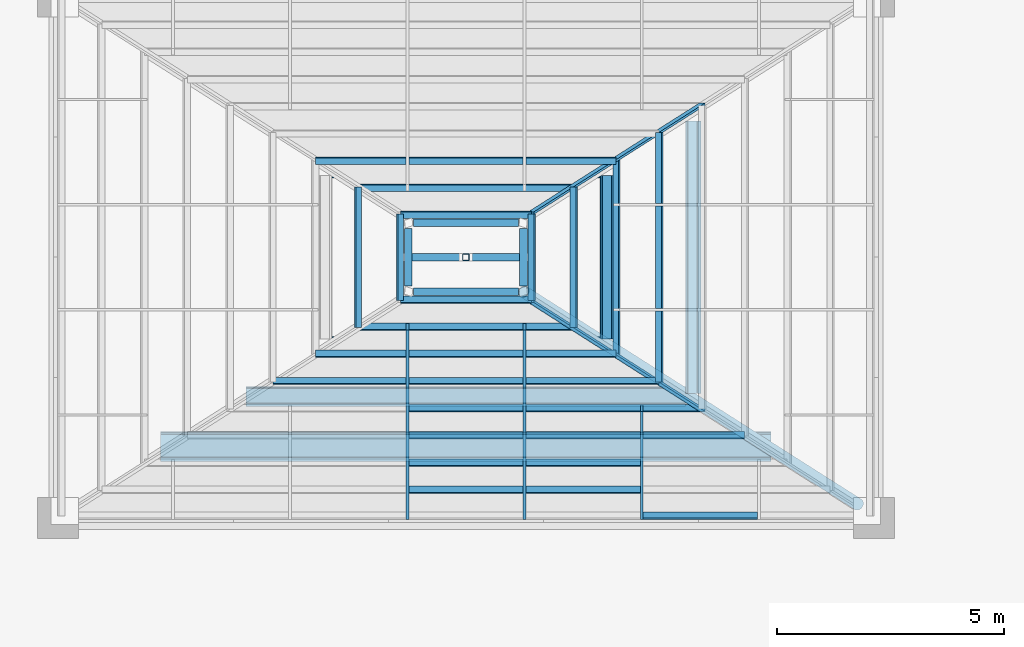
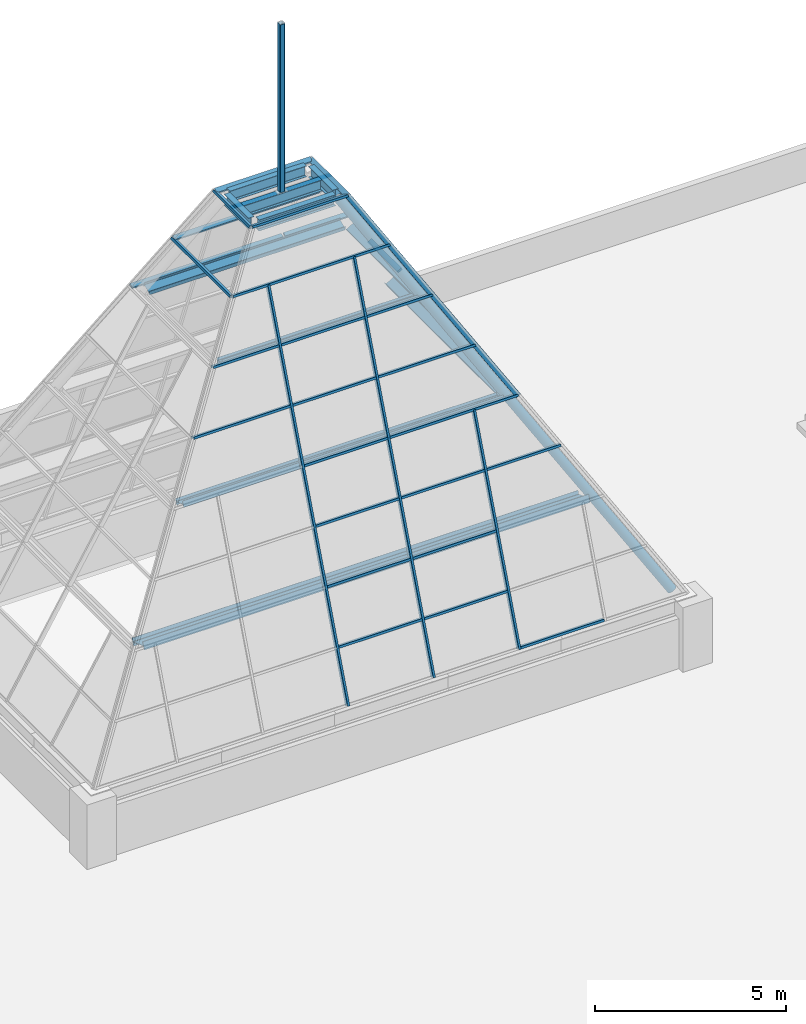
# One storey, part 2 of 8: 44 members, 5 beams, 4 elements without a shape of their own.
"""IFC4 building model written with IfcOpenShell, lengths in metres."""

from ifc_helpers import new_model, si_unit, direction, frame, origin, origin_2d, place, context, subcontext, project, spatial, rectangle, hollow_rectangle, hollow_circle, i_section, extrude, material, layer, layer_set, material_profile, profile_set, type_object, element, aggregate, save


model = new_model("IFC4")

# Units and contexts
model_context = context("Model", 3, precision=1e-05, world=origin(), true_north=direction((0.0, 1.0)))
body_context = subcontext(model_context, "Body", "Model", "MODEL_VIEW")
ifc_project = project(units=[si_unit("LENGTHUNIT", "METRE"), si_unit("AREAUNIT", "SQUARE_METRE"), si_unit("VOLUMEUNIT", "CUBIC_METRE"), si_unit("PLANEANGLEUNIT", "RADIAN"), si_unit("MASSUNIT", "GRAM", prefix="KILO")], contexts=[model_context])

# Site, building, storey
site_placement = place(None, origin())
site = spatial("IfcSite", under=ifc_project, at=site_placement, CompositionType="ELEMENT")
building_placement = place(site_placement, origin())
building = spatial("IfcBuilding", under=site, at=building_placement, Name="Brigalow Station Residences", CompositionType="ELEMENT")
storey_placement = place(building_placement, frame((0.0, 0.0, 244.199951171875)))
storey = spatial("IfcBuildingStorey", under=building, at=storey_placement, Name="Roof", CompositionType="ELEMENT", Elevation=244.199951171875)

# Members
ifc_material_1 = material(Name="Steel Grade C350L0 to AS/NZS 1163", Category="steel")
ifc_material_profile_1 = material_profile(ifc_material_1, hollow_circle(Radius=0.136474609375, WallThickness=0.00927734375, at=origin_2d()), Name="273.1x9.3CHS")
ifc_profile_set_1 = profile_set([ifc_material_profile_1], Name="Steel Grade C350L0 to AS/NZS 1163")
member_type_1 = type_object("IfcMemberType", Name="CROWN FRAME HIP RIB 273.1x9.3CHS", PredefinedType="RAFTER", material=ifc_profile_set_1)
member_1_placement = place(storey_placement, frame((44.649658203125, 24.298583984375, 2.169677734375), z_axis=(-0.490116390262, 0.311610602771, 0.814054516748), x_axis=(-0.670788330844, -0.731216181017, -0.123959315187)))
element("IfcMember", 1, at=member_1_placement, inside=storey, type_object=member_type_1, Name="CROWN FRAME HIP RIB SE", PredefinedType="RAFTER", context=body_context, shape_type="SweptSolid", body=[
    extrude(hollow_circle(Radius=0.136474609375, WallThickness=0.00927734375, at=origin_2d()), origin(), (0.0, 0.0, 1.0), 15.051513671875),
])
ifc_material_2 = material(Name="Steel Grade 300 to AS/NZS 3679.1", Category="steel")
ifc_material_profile_2 = material_profile(ifc_material_2, i_section(OverallWidth=0.1650390625, OverallDepth=0.303955078125, WebThickness=0.006103515625, FlangeThickness=0.01025390625, FilletRadius=0.011474609375, at=origin_2d()), Name="310UB40.4")
ifc_profile_set_2 = profile_set([ifc_material_profile_2], Name="Steel Grade 300 to AS/NZS 3679.1")
member_type_2 = type_object("IfcMemberType", Name="CROWN FRAME HOOP 310UB40.4 SPAN TO 4 M", PredefinedType="PURLIN", material=ifc_profile_set_2)
member_2_placement = place(storey_placement, frame((39.12890625, 27.94189453125, 11.309326171875), z_axis=(0.0, 1.0, 0.0), x_axis=(-0.515812812605, 0.0, 0.85670131455)))
element("IfcMember", 2, at=member_2_placement, inside=storey, type_object=member_type_2, Name="CROWN FRAME HOOP E6", PredefinedType="PURLIN", context=body_context, shape_type="SweptSolid", body=[
    extrude(i_section(OverallWidth=0.1650390625, OverallDepth=0.303955078125, WebThickness=0.006103515625, FlangeThickness=0.01025390625, FilletRadius=0.011474609375, at=origin_2d()), origin(), (0.0, 0.0, 1.0), 3.6162109375),
])
ifc_material_3 = material(Name="Steel Grade 300 to AS/NZS 3679.1", Category="steel")
ifc_material_profile_3 = material_profile(ifc_material_3, i_section(OverallWidth=0.1650390625, OverallDepth=0.303955078125, WebThickness=0.006103515625, FlangeThickness=0.01025390625, FilletRadius=0.011474609375, at=origin_2d()), Name="310UB40.4")
ifc_profile_set_3 = profile_set([ifc_material_profile_3], Name="Steel Grade 300 to AS/NZS 3679.1")
member_type_3 = type_object("IfcMemberType", Name="CROWN FRAME HOOP 310UB40.4 SPAN TO 7 M", PredefinedType="PURLIN", material=ifc_profile_set_3)
for number, where, z_axis, x_axis, name in (
    (3, (38.9599609375, 31.66796875, 11.357177734375), (-1.0, 0.0, 0.0), (0.0, -0.357491171676, 0.933916517775), "CROWN FRAME HOOP N6"),
    (4, (33.0400390625, 27.83203125, 11.357177734375), (1.0, 0.0, 0.0), (0.0, 0.357491171676, 0.933916517775), "CROWN FRAME HOOP S6"),
):
    element("IfcMember", number, at=place(storey_placement, frame(where, z_axis=z_axis, x_axis=x_axis)), inside=storey, type_object=member_type_3, Name=name, PredefinedType="PURLIN", context=body_context, shape_type="SweptSolid", body=[
        extrude(i_section(OverallWidth=0.1650390625, OverallDepth=0.303955078125, WebThickness=0.006103515625, FlangeThickness=0.01025390625, FilletRadius=0.011474609375, at=origin_2d()), origin(), (0.0, 0.0, 1.0), 5.919921875),
    ])
member_3_placement = place(storey_placement, frame((41.016357421875, 26.741943359375, 8.174560546875), z_axis=(0.0, 1.0, 0.0), x_axis=(-0.515812812605, 0.0, 0.85670131455)))
element("IfcMember", 5, at=member_3_placement, inside=storey, type_object=member_type_3, Name="CROWN FRAME HOOP E4", PredefinedType="PURLIN", context=body_context, shape_type="SweptSolid", body=[
    extrude(i_section(OverallWidth=0.1650390625, OverallDepth=0.303955078125, WebThickness=0.006103515625, FlangeThickness=0.01025390625, FilletRadius=0.011474609375, at=origin_2d()), origin(), (0.0, 0.0, 1.0), 6.01611328125),
])
ifc_material_4 = material(Name="Steel Grade 300 to AS/NZS 3679.1", Category="steel")
ifc_material_profile_4 = material_profile(ifc_material_4, i_section(OverallWidth=0.177978515625, OverallDepth=0.406494140625, WebThickness=0.0078125, FlangeThickness=0.0126953125, FilletRadius=0.011474609375, at=origin_2d()), Name="410UB59.7")
ifc_profile_set_4 = profile_set([ifc_material_profile_4], Name="Steel Grade 300 to AS/NZS 3679.1")
member_type_4 = type_object("IfcMemberType", Name="CROWN FRAME HOOP 410UB59.7 SPAN TO 10 M", PredefinedType="PURLIN", material=ifc_profile_set_4)
member_4_placement = place(storey_placement, frame((31.152587890625, 26.679931640625, 8.203857421875), z_axis=(1.0, 0.0, 0.0), x_axis=(0.0, 0.357491171676, 0.933916517775)))
element("IfcMember", 6, at=member_4_placement, inside=storey, type_object=member_type_4, Name="CROWN FRAME HOOP S4", PredefinedType="PURLIN", context=body_context, shape_type="SweptSolid", body=[
    extrude(i_section(OverallWidth=0.177978515625, OverallDepth=0.406494140625, WebThickness=0.0078125, FlangeThickness=0.0126953125, FilletRadius=0.011474609375, at=origin_2d()), origin(), (0.0, 0.0, 1.0), 9.69482421875),
])
ifc_material_5 = material(Name="Steel Grade 300 to AS/NZS 3679.1", Category="steel")
ifc_material_profile_5 = material_profile(ifc_material_5, i_section(OverallWidth=0.22900390625, OverallDepth=0.611572265625, WebThickness=0.011962890625, FlangeThickness=0.01953125, FilletRadius=0.013916015625, at=origin_2d()), Name="610UB125")
ifc_profile_set_5 = profile_set([ifc_material_profile_5], Name="Steel Grade 300 to AS/NZS 3679.1")
member_type_5 = type_object("IfcMemberType", Name="CROWN FRAME HOOP 610UB125 SPAN TO 14 M", PredefinedType="PURLIN", material=ifc_profile_set_5)
member_5_placement = place(storey_placement, frame((29.26513671875, 25.57568359375, 5.032470703125), z_axis=(1.0, 0.0, 0.0), x_axis=(0.0, 0.357491171676, 0.933916517775)))
element("IfcMember", 7, at=member_5_placement, inside=storey, type_object=member_type_5, Name="CROWN FRAME HOOP S2", PredefinedType="PURLIN", context=body_context, shape_type="SweptSolid", body=[
    extrude(i_section(OverallWidth=0.22900390625, OverallDepth=0.611572265625, WebThickness=0.011962890625, FlangeThickness=0.01953125, FilletRadius=0.013916015625, at=origin_2d()), origin(), (0.0, 0.0, 1.0), 13.4697265625),
])

# Beams
ifc_material_6 = material(Name="Steel Grade 300 to AS/NZS 3679.1", Category="steel")
ifc_material_profile_6 = material_profile(ifc_material_6, i_section(OverallWidth=0.1708984375, OverallDepth=0.355712890625, WebThickness=0.00732421875, FlangeThickness=0.011474609375, FilletRadius=0.011474609375, at=origin_2d()), Name="360UB50.7")
ifc_profile_set_6 = profile_set([ifc_material_profile_6], Name="Steel Grade 300 to AS/NZS 3679.1")
beam_type = type_object("IfcBeamType", Name="CROWN FRAME TIP RING 360UB50.7", PredefinedType="BEAM", material=ifc_profile_set_6)
for number, where, z_axis, x_axis, name in (
    (8, (34.841796875, 28.98876953125, 14.42236328125), (1.0, 0.0, 0.0), (0.0, 1.0, 0.0), "CROWN FRAME TIP RING S"),
    (9, (37.158203125, 30.51123046875, 14.42236328125), (-1.0, 0.0, 0.0), (0.0, -1.0, 0.0), "CROWN FRAME TIP RING N"),
):
    element("IfcBeam", number, at=place(storey_placement, frame(where, z_axis=z_axis, x_axis=x_axis)), inside=storey, type_object=beam_type, Name=name, PredefinedType="BEAM", context=body_context, shape_type="SweptSolid", body=[
        extrude(i_section(OverallWidth=0.1708984375, OverallDepth=0.355712890625, WebThickness=0.00732421875, FlangeThickness=0.011474609375, FilletRadius=0.011474609375, at=origin_2d()), origin(), (0.0, 0.0, 1.0), 2.31640625),
    ])
for number, where, z_axis, x_axis, name in (
    (10, (37.272705078125, 29.114501953125, 14.42236328125), (0.0, 1.0, 0.0), (-1.0, 0.0, 0.0), "CROWN FRAME TIP RING E"),
    (11, (34.727294921875, 30.385498046875, 14.42236328125), (0.0, -1.0, 0.0), (1.0, 0.0, 0.0), "CROWN FRAME TIP RING W"),
):
    element("IfcBeam", number, at=place(storey_placement, frame(where, z_axis=z_axis, x_axis=x_axis)), inside=storey, type_object=beam_type, Name=name, PredefinedType="BEAM", context=body_context, shape_type="SweptSolid", body=[
        extrude(i_section(OverallWidth=0.1708984375, OverallDepth=0.355712890625, WebThickness=0.00732421875, FlangeThickness=0.011474609375, FilletRadius=0.011474609375, at=origin_2d()), origin(), (0.0, 0.0, 1.0), 1.27099609375),
    ])
beam_placement = place(storey_placement, frame((34.81298828125, 29.75, 14.42236328125), z_axis=(1.0, 0.0, 0.0), x_axis=(0.0, 1.0, 0.0)))
element("IfcBeam", 12, at=beam_placement, inside=storey, type_object=beam_type, Name="CROWN FRAME TIP CROSS BEAM", PredefinedType="BEAM", context=body_context, shape_type="SweptSolid", body=[
    extrude(i_section(OverallWidth=0.1708984375, OverallDepth=0.355712890625, WebThickness=0.00732421875, FlangeThickness=0.011474609375, FilletRadius=0.011474609375, at=origin_2d()), origin(), (0.0, 0.0, 1.0), 2.3740234375),
])

# Curtain wall, members
ifc_material_7 = material(Name="Aluminium", Category="aluminium")
ifc_layer = layer(ifc_material_7, 0.14990234375)
ifc_layer_set = layer_set([ifc_layer], Name="CROWN CURTAIN WALL")
curtain_wall_type = type_object("IfcCurtainWallType", Name="CROWN CURTAIN WALL", PredefinedType="NOTDEFINED", material=ifc_layer_set)
curtain_wall_1_placement = place(storey_placement, origin())
curtain_wall_1 = element("IfcCurtainWall", 13, at=curtain_wall_1_placement, inside=storey, type_object=curtain_wall_type, Name="Roof/cw/crown-E", PredefinedType="NOTDEFINED")
ifc_material_8 = material(Name="Aluminium", Category="aluminium")
ifc_material_profile_7 = material_profile(ifc_material_8, rectangle(XDim=0.050048828125, YDim=0.14990234375, at=origin_2d()), Name="CROWN MULLION 50x150")
ifc_profile_set_7 = profile_set([ifc_material_profile_7], Name="Aluminium")
member_type_6 = type_object("IfcMemberType", Name="CROWN MULLION 50x150", PredefinedType="MULLION", material=ifc_profile_set_7)
member_6_placement = place(storey_placement, frame((41.210693359375, 26.376220703125, 8.29150390625), z_axis=(-0.490120289601, 0.311626734385, 0.814045993871), x_axis=(-0.1607680528, -0.950204597627, 0.266954782403)))
member_6 = element("IfcMember", 14, at=member_6_placement, type_object=member_type_6, Name="Roof/cw/crown-E/HL2", PredefinedType="MULLION", context=body_context, shape_type="SweptSolid", body=[
    extrude(rectangle(XDim=0.050048828125, YDim=0.14990234375, at=origin_2d()), origin(), (0.0, 0.0, 1.0), 7.701904296875),
])
member_7_placement = place(storey_placement, frame((41.210693359375, 33.123779296875, 8.29150390625), z_axis=(-0.490120289601, -0.311626734385, 0.814045993871), x_axis=(0.1607680528, -0.950204597627, -0.266954782403)))
member_7 = element("IfcMember", 15, at=member_7_placement, type_object=member_type_6, Name="Roof/cw/crown-E/HR2", PredefinedType="MULLION", context=body_context, shape_type="SweptSolid", body=[
    extrude(rectangle(XDim=0.050048828125, YDim=0.14990234375, at=origin_2d()), origin(), (0.0, 0.0, 1.0), 7.701904296875),
])

curtain_wall_2_placement = place(storey_placement, origin())
curtain_wall_2 = element("IfcCurtainWall", 16, at=curtain_wall_2_placement, inside=storey, type_object=curtain_wall_type, Name="Roof/cw/crown-S", PredefinedType="NOTDEFINED")
ifc_material_9 = material(Name="Aluminium", Category="aluminium")
ifc_material_profile_8 = material_profile(ifc_material_9, rectangle(XDim=0.06494140625, YDim=0.14990234375, at=origin_2d()), Name="CROWN MULLION 65x150")
ifc_profile_set_8 = profile_set([ifc_material_profile_8], Name="Aluminium")
member_type_7 = type_object("IfcMemberType", Name="CROWN MULLION 65x150", PredefinedType="MULLION", material=ifc_profile_set_8)
member_8_placement = place(storey_placement, frame((34.70703125, 24.04052734375, 2.087158203125), z_axis=(0.0, 0.357484135166, 0.93391921123), x_axis=(-1.0, 0.0, 0.0)))
member_8 = element("IfcMember", 17, at=member_8_placement, type_object=member_type_7, Name="Roof/cw/crown-S/M02", PredefinedType="MULLION", context=body_context, shape_type="SweptSolid", body=[
    extrude(rectangle(XDim=0.06494140625, YDim=0.14990234375, at=origin_2d()), origin(), (0.0, 0.0, 1.0), 11.691162109375),
])
member_9_placement = place(storey_placement, frame((37.29296875, 24.04052734375, 2.087158203125), z_axis=(0.0, 0.357484135166, 0.93391921123), x_axis=(-1.0, 0.0, 0.0)))
member_9 = element("IfcMember", 18, at=member_9_placement, type_object=member_type_7, Name="Roof/cw/crown-S/M03", PredefinedType="MULLION", context=body_context, shape_type="SweptSolid", body=[
    extrude(rectangle(XDim=0.06494140625, YDim=0.14990234375, at=origin_2d()), origin(), (0.0, 0.0, 1.0), 11.691162109375),
])
member_10_placement = place(storey_placement, frame((39.878662109375, 24.04052734375, 2.087158203125), z_axis=(0.0, 0.357474392357, 0.933922940509), x_axis=(-1.0, 0.0, 0.0)))
member_10 = element("IfcMember", 19, at=member_10_placement, type_object=member_type_7, Name="Roof/cw/crown-S/M04", PredefinedType="MULLION", context=body_context, shape_type="SweptSolid", body=[
    extrude(rectangle(XDim=0.06494140625, YDim=0.14990234375, at=origin_2d()), origin(), (0.0, 0.0, 1.0), 6.656005859375),
])
ifc_material_10 = material(Name="Aluminium", Category="aluminium")
ifc_material_profile_9 = material_profile(ifc_material_10, rectangle(XDim=0.06494140625, YDim=0.14990234375, at=origin_2d()), Name="CROWN TRANSOM 65x150")
ifc_profile_set_9 = profile_set([ifc_material_profile_9], Name="Aluminium")
member_type_8 = type_object("IfcMemberType", Name="CROWN TRANSOM 65x150", PredefinedType="USERDEFINED", material=ifc_profile_set_9)
member_11_placement = place(storey_placement, frame((39.9111328125, 24.05224609375, 2.11767578125), z_axis=(1.0, 0.0, 0.0), x_axis=(0.0, 0.357491171676, 0.933916517775)))
member_11 = element("IfcMember", 20, at=member_11_placement, type_object=member_type_8, Name="Roof/cw/crown-S/T05-00", ObjectType="TRANSOM", PredefinedType="USERDEFINED", context=body_context, shape_type="SweptSolid", body=[
    extrude(rectangle(XDim=0.06494140625, YDim=0.14990234375, at=origin_2d()), origin(), (0.0, 0.0, 1.0), 2.520751953125),
])
member_12_placement = place(storey_placement, frame((34.739501953125, 24.6201171875, 3.60107421875), z_axis=(1.0, 0.0, 0.0), x_axis=(0.0, 0.357491171676, 0.933916517775)))
member_12 = element("IfcMember", 21, at=member_12_placement, type_object=member_type_8, Name="Roof/cw/crown-S/T03-01", ObjectType="TRANSOM", PredefinedType="USERDEFINED", context=body_context, shape_type="SweptSolid", body=[
    extrude(rectangle(XDim=0.06494140625, YDim=0.14990234375, at=origin_2d()), origin(), (0.0, 0.0, 1.0), 2.52099609375),
])
member_13_placement = place(storey_placement, frame((37.325439453125, 24.6201171875, 3.60107421875), z_axis=(1.0, 0.0, 0.0), x_axis=(0.0, 0.357491171676, 0.933916517775)))
member_13 = element("IfcMember", 22, at=member_13_placement, type_object=member_type_8, Name="Roof/cw/crown-S/T04-01", ObjectType="TRANSOM", PredefinedType="USERDEFINED", context=body_context, shape_type="SweptSolid", body=[
    extrude(rectangle(XDim=0.06494140625, YDim=0.14990234375, at=origin_2d()), origin(), (0.0, 0.0, 1.0), 2.520751953125),
])
member_14_placement = place(storey_placement, frame((34.739501953125, 25.219970703125, 5.16845703125), z_axis=(1.0, 0.0, 0.0), x_axis=(0.0, 0.357491171676, 0.933916517775)))
member_14 = element("IfcMember", 23, at=member_14_placement, type_object=member_type_8, Name="Roof/cw/crown-S/T02-02", ObjectType="TRANSOM", PredefinedType="USERDEFINED", context=body_context, shape_type="SweptSolid", body=[
    extrude(rectangle(XDim=0.06494140625, YDim=0.14990234375, at=origin_2d()), origin(), (0.0, 0.0, 1.0), 2.52099609375),
])
member_15_placement = place(storey_placement, frame((37.325439453125, 25.219970703125, 5.16845703125), z_axis=(1.0, 0.0, 0.0), x_axis=(0.0, 0.357491171676, 0.933916517775)))
member_15 = element("IfcMember", 24, at=member_15_placement, type_object=member_type_8, Name="Roof/cw/crown-S/T03-02", ObjectType="TRANSOM", PredefinedType="USERDEFINED", context=body_context, shape_type="SweptSolid", body=[
    extrude(rectangle(XDim=0.06494140625, YDim=0.14990234375, at=origin_2d()), origin(), (0.0, 0.0, 1.0), 2.520751953125),
])
member_16_placement = place(storey_placement, frame((34.739501953125, 25.820068359375, 6.73583984375), z_axis=(1.0, 0.0, 0.0), x_axis=(0.0, 0.357491171676, 0.933916517775)))
member_16 = element("IfcMember", 25, at=member_16_placement, type_object=member_type_8, Name="Roof/cw/crown-S/T02-03", ObjectType="TRANSOM", PredefinedType="USERDEFINED", context=body_context, shape_type="SweptSolid", body=[
    extrude(rectangle(XDim=0.06494140625, YDim=0.14990234375, at=origin_2d()), origin(), (0.0, 0.0, 1.0), 2.52099609375),
])
member_17_placement = place(storey_placement, frame((37.325439453125, 25.820068359375, 6.73583984375), z_axis=(1.0, 0.0, 0.0), x_axis=(0.0, 0.357491171676, 0.933916517775)))
member_17 = element("IfcMember", 26, at=member_17_placement, type_object=member_type_8, Name="Roof/cw/crown-S/T03-03", ObjectType="TRANSOM", PredefinedType="USERDEFINED", context=body_context, shape_type="SweptSolid", body=[
    extrude(rectangle(XDim=0.06494140625, YDim=0.14990234375, at=origin_2d()), origin(), (0.0, 0.0, 1.0), 2.520751953125),
])
member_18_placement = place(storey_placement, frame((39.9111328125, 25.820068359375, 6.73583984375), z_axis=(1.0, 0.0, 0.0), x_axis=(0.0, 0.357491171676, 0.933916517775)))
member_18 = element("IfcMember", 27, at=member_18_placement, type_object=member_type_8, Name="Roof/cw/crown-S/T04-03", ObjectType="TRANSOM", PredefinedType="USERDEFINED", context=body_context, shape_type="SweptSolid", body=[
    extrude(rectangle(XDim=0.06494140625, YDim=0.14990234375, at=origin_2d()), origin(), (0.0, 0.0, 1.0), 2.233154296875),
])
member_19_placement = place(storey_placement, frame((34.739501953125, 26.419921875, 8.303466796875), z_axis=(1.0, 0.0, 0.0), x_axis=(0.0, 0.357491171676, 0.933916517775)))
member_19 = element("IfcMember", 28, at=member_19_placement, type_object=member_type_8, Name="Roof/cw/crown-S/T01-04", ObjectType="TRANSOM", PredefinedType="USERDEFINED", context=body_context, shape_type="SweptSolid", body=[
    extrude(rectangle(XDim=0.06494140625, YDim=0.14990234375, at=origin_2d()), origin(), (0.0, 0.0, 1.0), 2.52099609375),
])
member_20_placement = place(storey_placement, frame((37.325439453125, 26.419921875, 8.303466796875), z_axis=(1.0, 0.0, 0.0), x_axis=(0.0, 0.357491171676, 0.933916517775)))
member_20 = element("IfcMember", 29, at=member_20_placement, type_object=member_type_8, Name="Roof/cw/crown-S/T02-04", ObjectType="TRANSOM", PredefinedType="USERDEFINED", context=body_context, shape_type="SweptSolid", body=[
    extrude(rectangle(XDim=0.06494140625, YDim=0.14990234375, at=origin_2d()), origin(), (0.0, 0.0, 1.0), 3.875),
])
member_21_placement = place(storey_placement, frame((31.743408203125, 27.02001953125, 9.870849609375), z_axis=(1.0, 0.0, 0.0), x_axis=(0.0, 0.357491171676, 0.933916517775)))
member_21 = element("IfcMember", 30, at=member_21_placement, type_object=member_type_8, Name="Roof/cw/crown-S/T00-05", ObjectType="TRANSOM", PredefinedType="USERDEFINED", context=body_context, shape_type="SweptSolid", body=[
    extrude(rectangle(XDim=0.06494140625, YDim=0.14990234375, at=origin_2d()), origin(), (0.0, 0.0, 1.0), 2.93115234375),
])
member_22_placement = place(storey_placement, frame((34.739501953125, 27.02001953125, 9.870849609375), z_axis=(1.0, 0.0, 0.0), x_axis=(0.0, 0.357491171676, 0.933916517775)))
member_22 = element("IfcMember", 31, at=member_22_placement, type_object=member_type_8, Name="Roof/cw/crown-S/T01-05", ObjectType="TRANSOM", PredefinedType="USERDEFINED", context=body_context, shape_type="SweptSolid", body=[
    extrude(rectangle(XDim=0.06494140625, YDim=0.14990234375, at=origin_2d()), origin(), (0.0, 0.0, 1.0), 2.52099609375),
])
member_23_placement = place(storey_placement, frame((37.325439453125, 27.02001953125, 9.870849609375), z_axis=(1.0, 0.0, 0.0), x_axis=(0.0, 0.357491171676, 0.933916517775)))
member_23 = element("IfcMember", 32, at=member_23_placement, type_object=member_type_8, Name="Roof/cw/crown-S/T02-05", ObjectType="TRANSOM", PredefinedType="USERDEFINED", context=body_context, shape_type="SweptSolid", body=[
    extrude(rectangle(XDim=0.06494140625, YDim=0.14990234375, at=origin_2d()), origin(), (0.0, 0.0, 1.0), 2.93115234375),
])
member_24_placement = place(storey_placement, frame((32.68701171875, 27.6201171875, 11.438232421875), z_axis=(1.0, 0.0, 0.0), x_axis=(0.0, 0.357491171676, 0.933916517775)))
member_24 = element("IfcMember", 33, at=member_24_placement, type_object=member_type_8, Name="Roof/cw/crown-S/T00-06", ObjectType="TRANSOM", PredefinedType="USERDEFINED", context=body_context, shape_type="SweptSolid", body=[
    extrude(rectangle(XDim=0.06494140625, YDim=0.14990234375, at=origin_2d()), origin(), (0.0, 0.0, 1.0), 1.987548828125),
])
member_25_placement = place(storey_placement, frame((34.739501953125, 27.6201171875, 11.438232421875), z_axis=(1.0, 0.0, 0.0), x_axis=(0.0, 0.357491171676, 0.933916517775)))
member_25 = element("IfcMember", 34, at=member_25_placement, type_object=member_type_8, Name="Roof/cw/crown-S/T01-06", ObjectType="TRANSOM", PredefinedType="USERDEFINED", context=body_context, shape_type="SweptSolid", body=[
    extrude(rectangle(XDim=0.06494140625, YDim=0.14990234375, at=origin_2d()), origin(), (0.0, 0.0, 1.0), 2.52099609375),
])
member_26_placement = place(storey_placement, frame((37.325439453125, 27.6201171875, 11.438232421875), z_axis=(1.0, 0.0, 0.0), x_axis=(0.0, 0.357491171676, 0.933916517775)))
member_26 = element("IfcMember", 35, at=member_26_placement, type_object=member_type_8, Name="Roof/cw/crown-S/T02-06", ObjectType="TRANSOM", PredefinedType="USERDEFINED", context=body_context, shape_type="SweptSolid", body=[
    extrude(rectangle(XDim=0.06494140625, YDim=0.14990234375, at=origin_2d()), origin(), (0.0, 0.0, 1.0), 1.987548828125),
])
member_27_placement = place(storey_placement, frame((33.630859375, 28.219970703125, 13.005859375), z_axis=(1.0, 0.0, 0.0), x_axis=(0.0, 0.357491171676, 0.933916517775)))
member_27 = element("IfcMember", 36, at=member_27_placement, type_object=member_type_8, Name="Roof/cw/crown-S/T00-07", ObjectType="TRANSOM", PredefinedType="USERDEFINED", context=body_context, shape_type="SweptSolid", body=[
    extrude(rectangle(XDim=0.06494140625, YDim=0.14990234375, at=origin_2d()), origin(), (0.0, 0.0, 1.0), 4.73828125),
])
member_28_placement = place(storey_placement, frame((34.556396484375, 28.808349609375, 14.54296875), z_axis=(1.0, 0.0, 0.0), x_axis=(0.0, 0.357491171676, 0.933916517775)))
member_28 = element("IfcMember", 37, at=member_28_placement, type_object=member_type_8, Name="Roof/cw/crown-S/T00-08", ObjectType="TRANSOM", PredefinedType="USERDEFINED", context=body_context, shape_type="SweptSolid", body=[
    extrude(rectangle(XDim=0.06494140625, YDim=0.14990234375, at=origin_2d()), origin(), (0.0, 0.0, 1.0), 2.88720703125),
])
aggregate(curtain_wall_2, [member_8, member_9, member_10, member_11, member_12, member_13, member_14, member_15, member_16, member_17, member_18, member_19, member_20, member_21, member_22, member_23, member_24, member_25, member_26, member_27, member_28])

# Member
member_29_placement = place(storey_placement, frame((40.26708984375, 27.002685546875, 9.859130859375), z_axis=(0.0, 1.0, 0.0), x_axis=(-0.515812812605, 0.0, 0.85670131455)))
member_29 = element("IfcMember", 38, at=member_29_placement, type_object=member_type_8, Name="Roof/cw/crown-E/T00-05", ObjectType="TRANSOM", PredefinedType="USERDEFINED", context=body_context, shape_type="SweptSolid", body=[
    extrude(rectangle(XDim=0.06494140625, YDim=0.14990234375, at=origin_2d()), origin(), (0.0, 0.0, 1.0), 1.562255859375),
])

member_30_placement = place(storey_placement, frame((40.26708984375, 28.614990234375, 9.859130859375), z_axis=(0.0, 1.0, 0.0), x_axis=(-0.515812812605, 0.0, 0.85670131455)))
member_30 = element("IfcMember", 39, at=member_30_placement, type_object=member_type_8, Name="Roof/cw/crown-E/T01-05", ObjectType="TRANSOM", PredefinedType="USERDEFINED", context=body_context, shape_type="SweptSolid", body=[
    extrude(rectangle(XDim=0.06494140625, YDim=0.14990234375, at=origin_2d()), origin(), (0.0, 0.0, 1.0), 2.27001953125),
])

member_31_placement = place(storey_placement, frame((40.26708984375, 30.93505859375, 9.859130859375), z_axis=(0.0, 1.0, 0.0), x_axis=(-0.515812812605, 0.0, 0.85670131455)))
member_31 = element("IfcMember", 40, at=member_31_placement, type_object=member_type_8, Name="Roof/cw/crown-E/T02-05", ObjectType="TRANSOM", PredefinedType="USERDEFINED", context=body_context, shape_type="SweptSolid", body=[
    extrude(rectangle(XDim=0.06494140625, YDim=0.14990234375, at=origin_2d()), origin(), (0.0, 0.0, 1.0), 1.562255859375),
])

member_32_placement = place(storey_placement, frame((39.3232421875, 27.6025390625, 11.426513671875), z_axis=(0.0, 1.0, 0.0), x_axis=(-0.515812812605, 0.0, 0.85670131455)))
member_32 = element("IfcMember", 41, at=member_32_placement, type_object=member_type_8, Name="Roof/cw/crown-E/T00-06", ObjectType="TRANSOM", PredefinedType="USERDEFINED", context=body_context, shape_type="SweptSolid", body=[
    extrude(rectangle(XDim=0.06494140625, YDim=0.14990234375, at=origin_2d()), origin(), (0.0, 0.0, 1.0), 4.294921875),
])

member_33_placement = place(storey_placement, frame((38.37939453125, 28.20263671875, 12.993896484375), z_axis=(0.0, 1.0, 0.0), x_axis=(-0.515812812605, 0.0, 0.85670131455)))
member_33 = element("IfcMember", 42, at=member_33_placement, type_object=member_type_8, Name="Roof/cw/crown-E/T00-07", ObjectType="TRANSOM", PredefinedType="USERDEFINED", context=body_context, shape_type="SweptSolid", body=[
    extrude(rectangle(XDim=0.06494140625, YDim=0.14990234375, at=origin_2d()), origin(), (0.0, 0.0, 1.0), 3.0947265625),
])

member_34_placement = place(storey_placement, frame((37.452392578125, 28.7919921875, 14.533447265625), z_axis=(0.0, 1.0, 0.0), x_axis=(-0.515812812605, 0.0, 0.85670131455)))
member_34 = element("IfcMember", 43, at=member_34_placement, type_object=member_type_8, Name="Roof/cw/crown-E/T00-08", ObjectType="TRANSOM", PredefinedType="USERDEFINED", context=body_context, shape_type="SweptSolid", body=[
    extrude(rectangle(XDim=0.06494140625, YDim=0.14990234375, at=origin_2d()), origin(), (0.0, 0.0, 1.0), 1.916015625),
])

aggregate(curtain_wall_1, [member_6, member_7, member_29, member_30, member_31, member_32, member_33, member_34])

# Curtain wall, members
curtain_wall_3_placement = place(storey_placement, origin())
curtain_wall_3 = element("IfcCurtainWall", 44, at=curtain_wall_3_placement, inside=storey, type_object=curtain_wall_type, Name="Roof/cw/crown-N", PredefinedType="NOTDEFINED")
member_35_placement = place(storey_placement, frame((39.31298828125, 31.8798828125, 11.438232421875), z_axis=(-1.0, 0.0, 0.0), x_axis=(0.0, -0.357491171676, 0.933916517775)))
member_35 = element("IfcMember", 45, at=member_35_placement, type_object=member_type_8, Name="Roof/cw/crown-N/T00-06", ObjectType="TRANSOM", PredefinedType="USERDEFINED", context=body_context, shape_type="SweptSolid", body=[
    extrude(rectangle(XDim=0.06494140625, YDim=0.14990234375, at=origin_2d()), origin(), (0.0, 0.0, 1.0), 1.987548828125),
])
member_36_placement = place(storey_placement, frame((37.260498046875, 31.8798828125, 11.438232421875), z_axis=(-1.0, 0.0, 0.0), x_axis=(0.0, -0.357491171676, 0.933916517775)))
member_36 = element("IfcMember", 46, at=member_36_placement, type_object=member_type_8, Name="Roof/cw/crown-N/T01-06", ObjectType="TRANSOM", PredefinedType="USERDEFINED", context=body_context, shape_type="SweptSolid", body=[
    extrude(rectangle(XDim=0.06494140625, YDim=0.14990234375, at=origin_2d()), origin(), (0.0, 0.0, 1.0), 2.52099609375),
])
member_37_placement = place(storey_placement, frame((34.674560546875, 31.8798828125, 11.438232421875), z_axis=(-1.0, 0.0, 0.0), x_axis=(0.0, -0.357491171676, 0.933916517775)))
member_37 = element("IfcMember", 47, at=member_37_placement, type_object=member_type_8, Name="Roof/cw/crown-N/T02-06", ObjectType="TRANSOM", PredefinedType="USERDEFINED", context=body_context, shape_type="SweptSolid", body=[
    extrude(rectangle(XDim=0.06494140625, YDim=0.14990234375, at=origin_2d()), origin(), (0.0, 0.0, 1.0), 1.987548828125),
])
member_38_placement = place(storey_placement, frame((38.369140625, 31.280029296875, 13.005859375), z_axis=(-1.0, 0.0, 0.0), x_axis=(0.0, -0.357491171676, 0.933916517775)))
member_38 = element("IfcMember", 48, at=member_38_placement, type_object=member_type_8, Name="Roof/cw/crown-N/T00-07", ObjectType="TRANSOM", PredefinedType="USERDEFINED", context=body_context, shape_type="SweptSolid", body=[
    extrude(rectangle(XDim=0.06494140625, YDim=0.14990234375, at=origin_2d()), origin(), (0.0, 0.0, 1.0), 4.73828125),
])
member_39_placement = place(storey_placement, frame((37.443603515625, 30.691650390625, 14.54296875), z_axis=(-1.0, 0.0, 0.0), x_axis=(0.0, -0.357491171676, 0.933916517775)))
member_39 = element("IfcMember", 49, at=member_39_placement, type_object=member_type_8, Name="Roof/cw/crown-N/T00-08", ObjectType="TRANSOM", PredefinedType="USERDEFINED", context=body_context, shape_type="SweptSolid", body=[
    extrude(rectangle(XDim=0.06494140625, YDim=0.14990234375, at=origin_2d()), origin(), (0.0, 0.0, 1.0), 2.88720703125),
])
aggregate(curtain_wall_3, [member_35, member_36, member_37, member_38, member_39])

curtain_wall_4_placement = place(storey_placement, origin())
curtain_wall_4 = element("IfcCurtainWall", 50, at=curtain_wall_4_placement, inside=storey, type_object=curtain_wall_type, Name="Roof/cw/crown-W", PredefinedType="NOTDEFINED")
member_40_placement = place(storey_placement, frame((33.62060546875, 31.29736328125, 12.993896484375), z_axis=(0.0, -1.0, 0.0), x_axis=(0.515812812605, 0.0, 0.85670131455)))
member_40 = element("IfcMember", 51, at=member_40_placement, type_object=member_type_8, Name="Roof/cw/crown-W/T00-07", ObjectType="TRANSOM", PredefinedType="USERDEFINED", context=body_context, shape_type="SweptSolid", body=[
    extrude(rectangle(XDim=0.06494140625, YDim=0.14990234375, at=origin_2d()), origin(), (0.0, 0.0, 1.0), 3.0947265625),
])
member_41_placement = place(storey_placement, frame((34.547607421875, 30.7080078125, 14.533447265625), z_axis=(0.0, -1.0, 0.0), x_axis=(0.515812812605, 0.0, 0.85670131455)))
member_41 = element("IfcMember", 52, at=member_41_placement, type_object=member_type_8, Name="Roof/cw/crown-W/T00-08", ObjectType="TRANSOM", PredefinedType="USERDEFINED", context=body_context, shape_type="SweptSolid", body=[
    extrude(rectangle(XDim=0.06494140625, YDim=0.14990234375, at=origin_2d()), origin(), (0.0, 0.0, 1.0), 1.916015625),
])
aggregate(curtain_wall_4, [member_40, member_41])

# Member
ifc_material_11 = material(Name="Steel Grade C450L0 to AS/NZS 1163", Category="steel")
ifc_material_profile_10 = material_profile(ifc_material_11, hollow_rectangle(XDim=0.14990234375, YDim=0.14990234375, WallThickness=0.009033203125, InnerFilletRadius=0.013427734375, OuterFilletRadius=0.0224609375, at=origin_2d()), Name="150x150x9.0SHS")
ifc_profile_set_10 = profile_set([ifc_material_profile_10], Name="Steel Grade C450L0 to AS/NZS 1163")
member_type_9 = type_object("IfcMemberType", Name="SPIRE 150x150x9.0SHS", PredefinedType="USERDEFINED", material=ifc_profile_set_10)
member_42_placement = place(storey_placement, frame((36.0, 29.75, 14.6201171875), z_axis=(0.0, 0.0, 1.0), x_axis=(1.0, 0.0, 0.0)))
element("IfcMember", 53, at=member_42_placement, inside=storey, type_object=member_type_9, Name="SPIRE", ObjectType="SPIRE", PredefinedType="USERDEFINED", context=body_context, shape_type="SweptSolid", body=[
    extrude(hollow_rectangle(XDim=0.14990234375, YDim=0.14990234375, WallThickness=0.009033203125, InnerFilletRadius=0.013427734375, OuterFilletRadius=0.0224609375, at=origin_2d()), origin(), (0.0, 0.0, 1.0), 5.35986328125),
])

save(model, "model.ifc")
